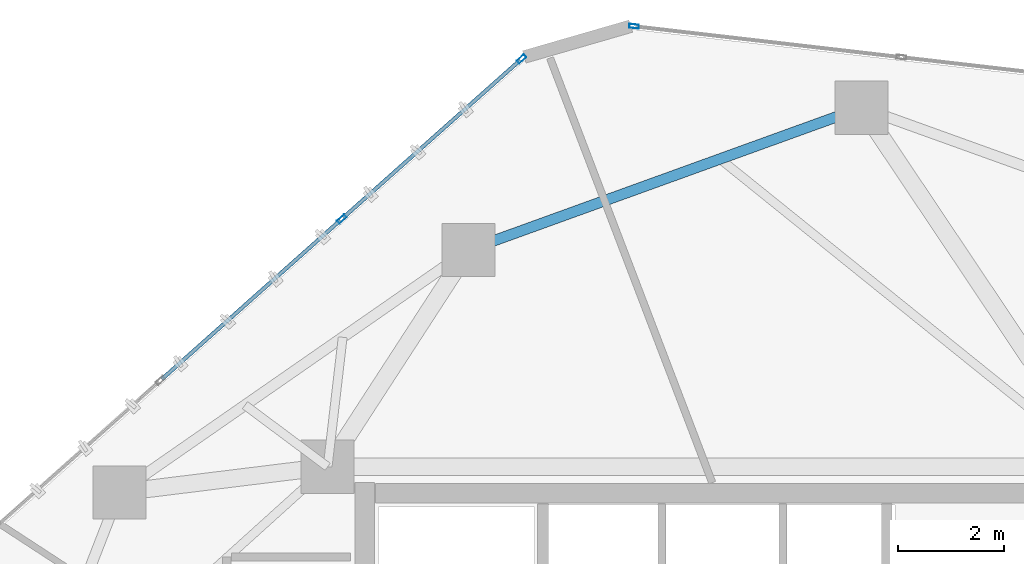
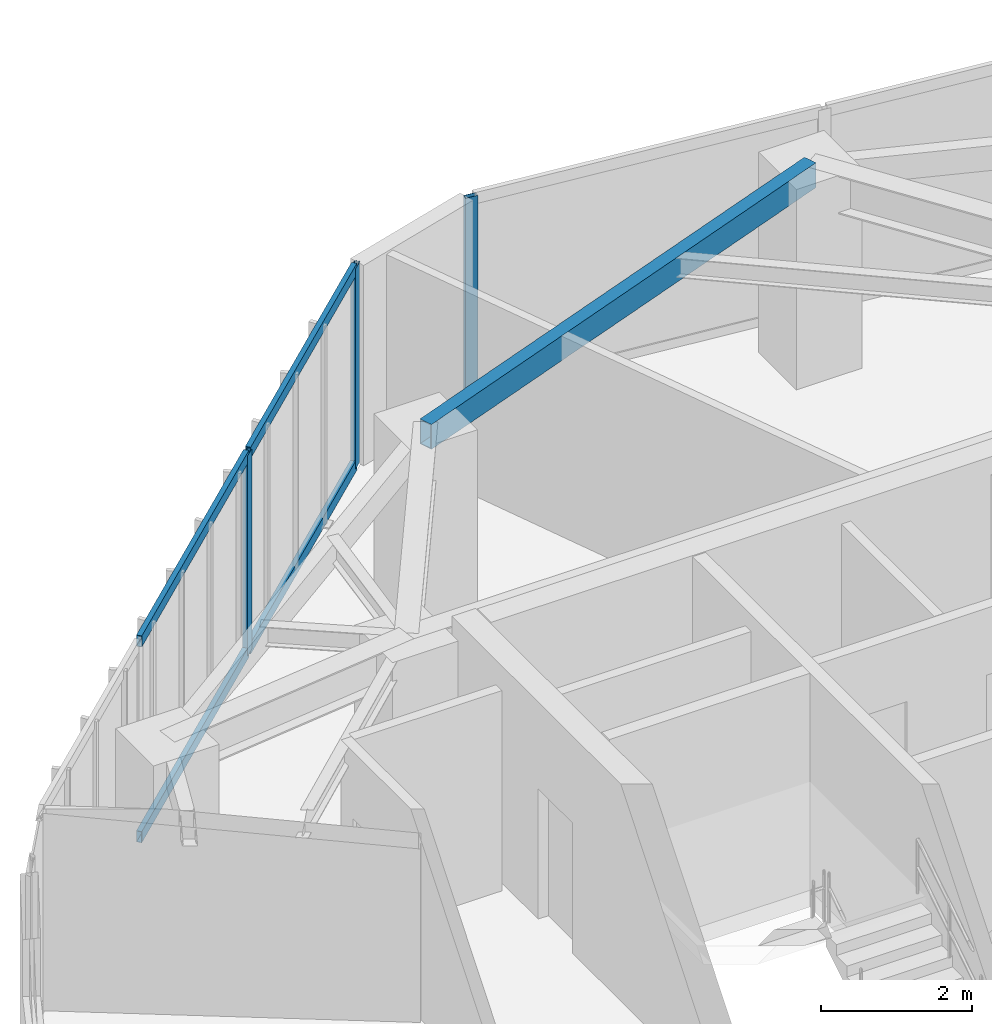
# One storey, part 12 of 19: 7 members, 1 beam, 2 elements without a shape of their own.
"""IFC4 building model written with IfcOpenShell, lengths in metres."""

from ifc_helpers import new_model, si_unit, direction, frame, origin, origin_2d, place, context, subcontext, project, spatial, hollow_rectangle, extrude, source, transform, mapped, material, layer, layer_set, material_profile, profile_set, type_object, type_shapes, element, aggregate, save


model = new_model("IFC4")

# Units and contexts
model_context = context("Model", 3, precision=1e-05, world=origin(), true_north=direction((0.0, 1.0)))
body_context = subcontext(model_context, "Body", "Model", "MODEL_VIEW")
ifc_project = project(units=[si_unit("LENGTHUNIT", "METRE"), si_unit("AREAUNIT", "SQUARE_METRE"), si_unit("VOLUMEUNIT", "CUBIC_METRE"), si_unit("PLANEANGLEUNIT", "RADIAN"), si_unit("MASSUNIT", "GRAM", prefix="KILO")], contexts=[model_context])

# Site, building, storey
site_placement = place(None, origin())
site = spatial("IfcSite", under=ifc_project, at=site_placement, CompositionType="ELEMENT")
building_placement = place(site_placement, origin())
building = spatial("IfcBuilding", under=site, at=building_placement, Name="Talar Marvaseh", CompositionType="ELEMENT")
storey_placement = place(building_placement, frame((0.0, 0.0, 222.199951171875)))
storey = spatial("IfcBuildingStorey", under=building, at=storey_placement, Name="L58", CompositionType="ELEMENT", Elevation=222.199951171875)

# Beam
ifc_material_1 = material(Name="Steel S355", Category="steel")
ifc_material_profile_1 = material_profile(ifc_material_1, hollow_rectangle(XDim=0.199951171875, YDim=0.39990234375, WallThickness=0.013916015625, at=origin_2d()), Name="RHS400x200x14")
ifc_profile_set_1 = profile_set([ifc_material_profile_1], Name="Steel S355")
beam_type = type_object("IfcBeamType", Name="Zone 3 Perimeter Spandrel Beam RHS400x200x14", PredefinedType="SPANDREL", material=ifc_profile_set_1)
beam_placement = place(storey_placement, frame((21.35205078125, 40.986083984375, 3.030029296875), z_axis=(0.940368006783, 0.340158803824, 0.0), x_axis=(-0.340158803824, 0.940368006783, 0.0)))
element("IfcBeam", 1, at=beam_placement, inside=storey, type_object=beam_type, Name="L58 Zone 3 Perimeter Spandrel Beam RHS400x200x14", PredefinedType="SPANDREL", context=body_context, shape_type="SweptSolid", body=[
    extrude(hollow_rectangle(XDim=0.199951171875, YDim=0.39990234375, WallThickness=0.013916015625, at=origin_2d()), origin(), (0.0, 0.0, 1.0), 7.88427734375),
])

# Curtain wall, members
ifc_material_2 = material(Name="Architectural Aluminium", Category="aluminium")
ifc_layer = layer(ifc_material_2, 0.18994140625)
ifc_layer_set = layer_set([ifc_layer], Name="Architectural Aluminium")
curtain_wall_type = type_object("IfcCurtainWallType", Name="Unitised Solar Atelier Curtain Wall Z3", PredefinedType="NOTDEFINED", material=ifc_layer_set)
curtain_wall_1_placement = place(storey_placement, origin())
curtain_wall_1 = element("IfcCurtainWall", 2, at=curtain_wall_1_placement, inside=storey, type_object=curtain_wall_type, Name="L58 Unitised Solar Atelier Curtain Wall Z3", PredefinedType="NOTDEFINED")
ifc_material_profile_2 = material_profile(ifc_material_2, hollow_rectangle(XDim=0.074951171875, YDim=0.179931640625, WallThickness=0.0048828125, at=origin_2d()), Name="RHS180x75x5")
ifc_profile_set_2 = profile_set([ifc_material_profile_2], Name="Architectural Aluminium")
member_type_1 = type_object("IfcMemberType", Name="Unitised Curtain Wall Standard Mullion RHS180x75x5", PredefinedType="MULLION", material=ifc_profile_set_2)
shared_shape_1 = source(origin(), body_context, "Body", "SweptSolid", [
    extrude(hollow_rectangle(XDim=0.074951171875, YDim=0.179931640625, WallThickness=0.0048828125, at=origin_2d()), origin(), (0.0, 0.0, 1.0), 3.22998046875),
])
type_shapes(member_type_1, [shared_shape_1])
member_1_placement = place(storey_placement, frame((18.96630859375, 41.56982421875, 0.0), z_axis=(0.0, 0.0, 1.0), x_axis=(-0.664998221476, 0.74684494069, 0.0)))
member_1 = element("IfcMember", 3, at=member_1_placement, type_object=member_type_1, Name="CW-Z3 mullion 3", PredefinedType="MULLION", context=body_context, shape_type="MappedRepresentation", body=[
    mapped(shared_shape_1, transform((0.0, 0.0, 0.0), x_axis=(1.0, 0.0, 0.0), y_axis=(0.0, 1.0, 0.0), z_axis=(0.0, 0.0, 1.0), scale=1.0)),
])
member_2_placement = place(storey_placement, frame((22.356689453125, 44.5888671875, 0.0), z_axis=(0.0, 0.0, 1.0), x_axis=(-0.664998221476, 0.74684494069, 0.0)))
member_2 = element("IfcMember", 4, at=member_2_placement, type_object=member_type_1, Name="CW-Z3 mullion 4", PredefinedType="MULLION", context=body_context, shape_type="MappedRepresentation", body=[
    mapped(shared_shape_1, transform((0.0, 0.0, 0.0), x_axis=(1.0, 0.0, 0.0), y_axis=(0.0, 1.0, 0.0), z_axis=(0.0, 0.0, 1.0), scale=1.0)),
])

# Curtain wall, member
curtain_wall_2_placement = place(storey_placement, origin())
curtain_wall_2 = element("IfcCurtainWall", 5, at=curtain_wall_2_placement, inside=storey, type_object=curtain_wall_type, Name="L58 Unitised Solar Atelier Curtain Wall Z3", PredefinedType="NOTDEFINED")
member_3_placement = place(storey_placement, frame((24.47509765625, 45.2041015625, 0.0), z_axis=(0.0, 0.0, 1.0), x_axis=(0.114870315646, 0.993380496378, 0.0)))
member_3 = element("IfcMember", 6, at=member_3_placement, type_object=member_type_1, Name="CW-Z3 mullion 1", PredefinedType="MULLION", context=body_context, shape_type="MappedRepresentation", body=[
    mapped(shared_shape_1, transform((0.0, 0.0, 0.0), x_axis=(1.0, 0.0, 0.0), y_axis=(0.0, 1.0, 0.0), z_axis=(0.0, 0.0, 1.0), scale=1.0)),
])
aggregate(curtain_wall_2, [member_3])

# Member
ifc_material_profile_3 = material_profile(ifc_material_2, hollow_rectangle(XDim=0.074951171875, YDim=0.179931640625, WallThickness=0.0048828125, at=origin_2d()), Name="RHS180x75x5")
ifc_profile_set_3 = profile_set([ifc_material_profile_3], Name="Architectural Aluminium")
member_type_2 = type_object("IfcMemberType", Name="Unitised Curtain Wall Transom RHS180x75x5", PredefinedType="USERDEFINED", material=ifc_profile_set_3)
shared_shape_2 = source(origin(), body_context, "Body", "SweptSolid", [
    extrude(hollow_rectangle(XDim=0.074951171875, YDim=0.179931640625, WallThickness=0.0048828125, at=origin_2d()), origin(), (0.0, 0.0, 1.0), 4.464599609375),
])
member_4_placement = place(storey_placement, frame((18.994140625, 41.5947265625, 0.03759765625), z_axis=(0.746850918303, 0.664991508089, 0.0), x_axis=(-0.664991508089, 0.746850918303, 0.0)))
member_4 = element("IfcMember", 7, at=member_4_placement, type_object=member_type_2, Name="CW-Z3 transom 3.1", ObjectType="TRANSOM", PredefinedType="USERDEFINED", context=body_context, shape_type="MappedRepresentation", body=[
    mapped(shared_shape_2, transform((0.0, 0.0, 0.0), x_axis=(1.0, 0.0, 0.0), y_axis=(0.0, 1.0, 0.0), z_axis=(0.0, 0.0, 1.0), scale=1.0)),
])

member_5_placement = place(storey_placement, frame((18.994140625, 41.5947265625, 3.192626953125), z_axis=(0.746850918303, 0.664991508089, 0.0), x_axis=(-0.664991508089, 0.746850918303, 0.0)))
member_5 = element("IfcMember", 8, at=member_5_placement, type_object=member_type_2, Name="CW-Z3 transom 3.2", ObjectType="TRANSOM", PredefinedType="USERDEFINED", context=body_context, shape_type="MappedRepresentation", body=[
    mapped(shared_shape_2, transform((0.0, 0.0, 0.0), x_axis=(1.0, 0.0, 0.0), y_axis=(0.0, 1.0, 0.0), z_axis=(0.0, 0.0, 1.0), scale=1.0)),
])

shared_shape_3 = source(origin(), body_context, "Body", "SweptSolid", [
    extrude(hollow_rectangle(XDim=0.074951171875, YDim=0.179931640625, WallThickness=0.0048828125, at=origin_2d()), origin(), (0.0, 0.0, 1.0), 4.502197265625),
])
type_shapes(member_type_2, [shared_shape_2, shared_shape_3])
member_6_placement = place(storey_placement, frame((15.57568359375, 38.551025390625, 0.03759765625), z_axis=(0.74686156424, 0.664979551461, 0.0), x_axis=(-0.664979551461, 0.74686156424, 0.0)))
member_6 = element("IfcMember", 9, at=member_6_placement, type_object=member_type_2, Name="CW-Z3 transom 2.1", ObjectType="TRANSOM", PredefinedType="USERDEFINED", context=body_context, shape_type="MappedRepresentation", body=[
    mapped(shared_shape_3, transform((0.0, 0.0, 0.0), x_axis=(1.0, 0.0, 0.0), y_axis=(0.0, 1.0, 0.0), z_axis=(0.0, 0.0, 1.0), scale=1.0)),
])

member_7_placement = place(storey_placement, frame((15.57568359375, 38.551025390625, 3.192626953125), z_axis=(0.74686156424, 0.664979551461, 0.0), x_axis=(-0.664979551461, 0.74686156424, 0.0)))
member_7 = element("IfcMember", 10, at=member_7_placement, type_object=member_type_2, Name="CW-Z3 transom 2.2", ObjectType="TRANSOM", PredefinedType="USERDEFINED", context=body_context, shape_type="MappedRepresentation", body=[
    mapped(shared_shape_3, transform((0.0, 0.0, 0.0), x_axis=(1.0, 0.0, 0.0), y_axis=(0.0, 1.0, 0.0), z_axis=(0.0, 0.0, 1.0), scale=1.0)),
])

aggregate(curtain_wall_1, [member_1, member_2, member_6, member_7, member_4, member_5])

save(model, "model.ifc")
